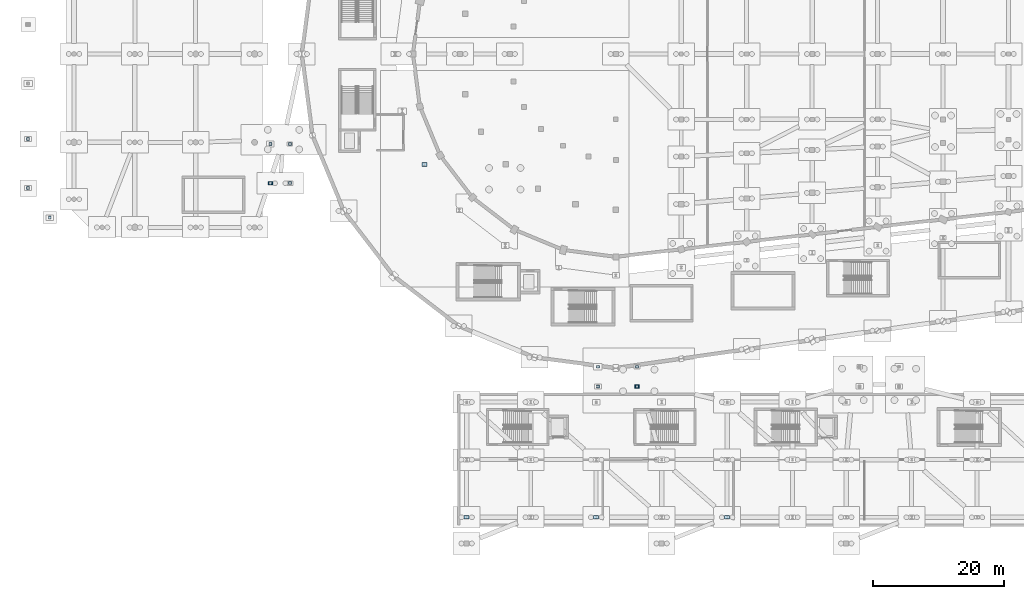
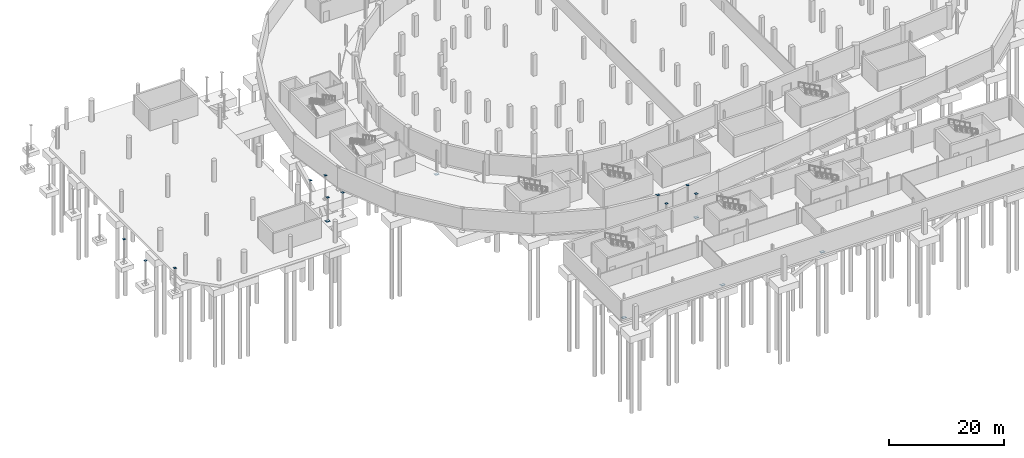
# One storey, part 38 of 55: 17 plates.
"""IFC4 building model written with IfcOpenShell, lengths in metres."""

from ifc_helpers import new_model, si_unit, direction, frame, origin, origin_2d, place, context, subcontext, project, spatial, rectangle, extrude, material, layer, layer_set, type_object, element, save


model = new_model("IFC4")

# Units and contexts
model_context = context("Model", 3, precision=1e-05, world=origin(), true_north=direction((0.0, 1.0)))
body_context = subcontext(model_context, "Body", "Model", "MODEL_VIEW")
ifc_project = project(units=[si_unit("LENGTHUNIT", "METRE"), si_unit("AREAUNIT", "SQUARE_METRE"), si_unit("VOLUMEUNIT", "CUBIC_METRE"), si_unit("PLANEANGLEUNIT", "RADIAN"), si_unit("MASSUNIT", "GRAM", prefix="KILO")], contexts=[model_context])

# Site, building, storey
site_placement = place(None, origin())
site = spatial("IfcSite", under=ifc_project, at=site_placement, CompositionType="ELEMENT")
building_placement = place(site_placement, origin())
building = spatial("IfcBuilding", under=site, at=building_placement, Name="Sohan Crest Arena", CompositionType="ELEMENT")
storey_placement = place(building_placement, frame((0.0, 0.0, -4.5)))
storey = spatial("IfcBuildingStorey", under=building, at=storey_placement, Name="B1", CompositionType="ELEMENT", Elevation=-4.5)

# Plates
ifc_material = material(Name="Steel S355", Category="steel")
ifc_layer_1 = layer(ifc_material, 0.031982421875, Name="Steel S355")
ifc_layer_set_1 = layer_set([ifc_layer_1], Name="Steel S355")
plate_type_1 = type_object("IfcPlateType", Name="STR-PL-BP01", PredefinedType="USERDEFINED", material=ifc_layer_set_1)
for number, where, z_axis, x_axis, name in (
    (1, (8.199951171875, 65.0, 4.487548828125), (0.0, 0.0, 1.0), (1.0, 0.0, 0.0), "Hollow section end cap plate ECP-0001"),
    (2, (11.5, 53.0, 4.487548828125), (0.0, 0.0, 1.0), (1.0, 0.0, 0.0), "Hollow section end cap plate ECP-0009"),
    (3, (8.199951171875, 57.5, 4.487548828125), (0.0, 0.0, 1.0), (1.0, 0.0, 0.0), "Hollow section end cap plate ECP-0013"),
    (4, (45.199951171875, 58.25, 4.487548828125), (0.0, 0.0, 1.0), (1.0, 0.0, 0.0), "Hollow section end cap plate ECP-0017"),
    (5, (48.199951171875, 58.25, 4.487548828125), (0.0, 0.0, 1.0), (1.0, 0.0, 0.0), "Hollow section end cap plate ECP-0022"),
    (6, (45.199951171875, 64.25, 4.487548828125), (0.0, 0.0, 1.0), (1.0, 0.0, 0.0), "Hollow section end cap plate ECP-0027"),
    (7, (48.199951171875, 64.25, 4.487548828125), (0.0, 0.0, 1.0), (1.0, 0.0, 0.0), "Hollow section end cap plate ECP-0032"),
    (8, (95.25, 27.199951171875, 4.487548828125), (0.0, 0.0, 1.0), (1.0, 0.0, 0.0), "Hollow section end cap plate ECP-0081"),
    (9, (95.25, 30.199951171875, 4.487548828125), (0.0, 0.0, 1.0), (1.0, 0.0, 0.0), "Hollow section end cap plate ECP-0085"),
    (10, (101.25, 27.199951171875, 4.487548828125), (0.0, 0.0, 1.0), (1.0, 0.0, 0.0), "Hollow section end cap plate ECP-0089"),
    (11, (101.25, 30.199951171875, 4.487548828125), (0.0, 0.0, 1.0), (1.0, 0.0, 0.0), "Hollow section end cap plate ECP-0093"),
):
    element("IfcPlate", number, at=place(storey_placement, frame(where, z_axis=z_axis, x_axis=x_axis)), inside=storey, type_object=plate_type_1, Name=name, ObjectType="BASE PLATE", PredefinedType="USERDEFINED", context=body_context, shape_type="SweptSolid", body=[
        extrude(rectangle(XDim=0.449951171875, YDim=0.449951171875, at=origin_2d()), origin(), (0.0, 0.0, 1.0), 0.02490234375),
    ])
ifc_layer_2 = layer(ifc_material, 0.030029296875, Name="Steel S355")
ifc_layer_set_2 = layer_set([ifc_layer_2], Name="Steel S355")
plate_type_2 = type_object("IfcPlateType", Name="STR-PL-BP04", PredefinedType="USERDEFINED", material=ifc_layer_set_2)
for number, where, z_axis, x_axis, name in (
    (12, (68.72802734375, 61.10009765625, -0.5498046875), (0.0, 0.0, 1.0), (1.0, 0.0, 0.0), "Steel column base plate BP-V2I-09"),
    (13, (75.199951171875, 7.199951171875, -0.5498046875), (0.0, 0.0, 1.0), (1.0, 0.0, 0.0), "Steel column base plate BP-V5C-01-1"),
    (14, (95.0, 7.199951171875, -0.5498046875), (0.0, 0.0, 1.0), (1.0, 0.0, 0.0), "Steel column base plate BP-V5C-03-1"),
    (15, (115.0, 7.199951171875, -0.5498046875), (0.0, 0.0, 1.0), (1.0, 0.0, 0.0), "Steel column base plate BP-V5C-05-1"),
    (16, (45.199951171875, 58.25, -0.5498046875), (0.0, 0.0, 1.0), (1.0, 0.0, 0.0), "Steel column base plate BP-BC-BR-W1-1"),
    (17, (101.25, 27.199951171875, -0.5498046875), (0.0, 0.0, 1.0), (1.0, 0.0, 0.0), "Steel column base plate BP-BC-BR-S1-3"),
):
    element("IfcPlate", number, at=place(storey_placement, frame(where, z_axis=z_axis, x_axis=x_axis)), inside=storey, type_object=plate_type_2, Name=name, ObjectType="BASE PLATE", PredefinedType="USERDEFINED", context=body_context, shape_type="SweptSolid", body=[
        extrude(rectangle(XDim=0.760009765625, YDim=0.580078125, at=origin_2d()), origin(), (0.0, 0.0, 1.0), 0.030029296875),
    ])

save(model, "model.ifc")
